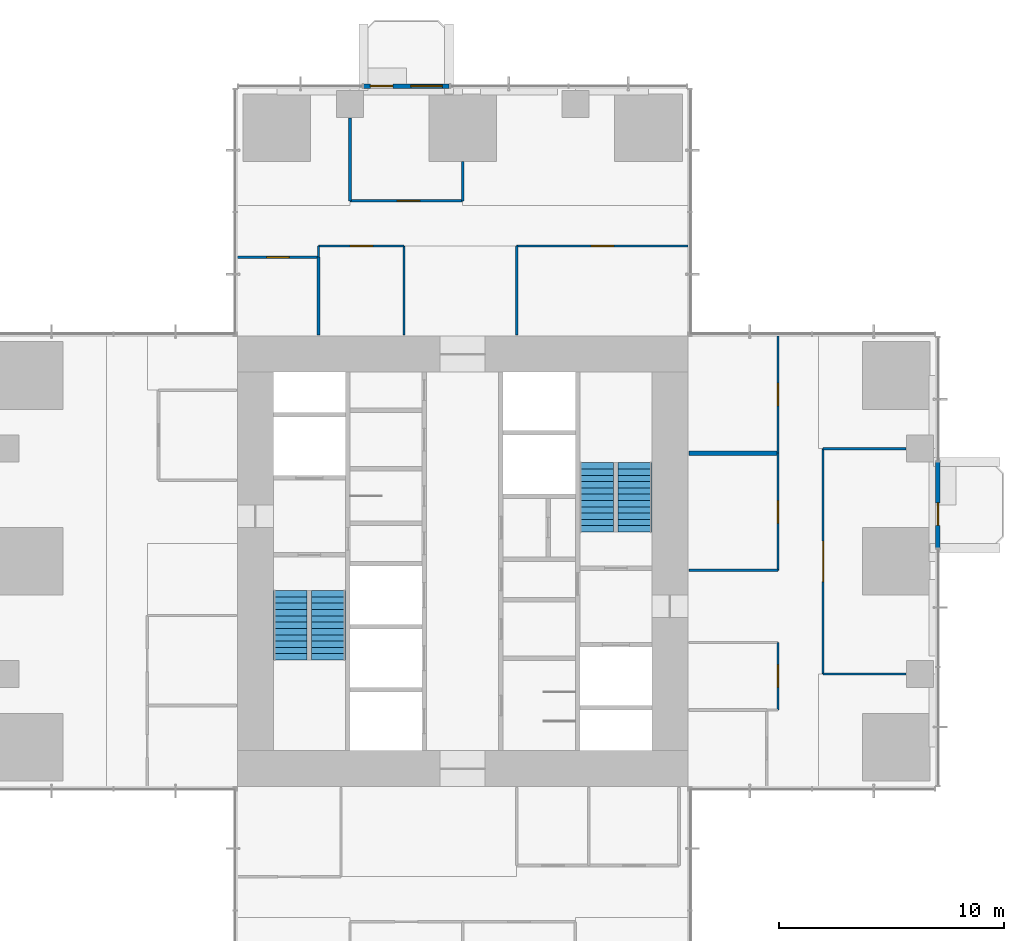
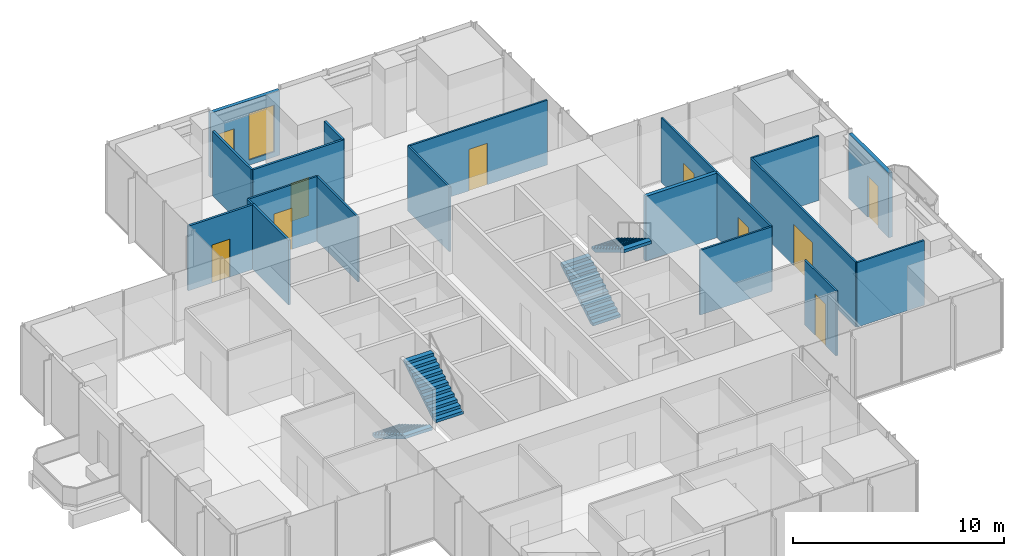
# One storey, part 10 of 13: 20 walls, 10 doors, 4 stair flights, 1 window, 11 openings, 2 elements without a shape of their own.
"""IFC4 building model written with IfcOpenShell, lengths in metres."""

from ifc_helpers import new_model, si_unit, direction, frame, frame_2d, origin, place, context, subcontext, project, spatial, polyline, rectangle, outline, extrude, material, layer, layer_set, type_object, element, fill, aggregate, save


model = new_model("IFC4")

# Units and contexts
model_context = context("Model", 3, precision=1e-05, world=origin(), true_north=direction((0.0, 1.0)))
body_context = subcontext(model_context, "Body", "Model", "MODEL_VIEW")
ifc_project = project(units=[si_unit("LENGTHUNIT", "METRE"), si_unit("AREAUNIT", "SQUARE_METRE"), si_unit("VOLUMEUNIT", "CUBIC_METRE"), si_unit("PLANEANGLEUNIT", "RADIAN"), si_unit("MASSUNIT", "GRAM", prefix="KILO")], contexts=[model_context])

# Site, building, storey
site_placement = place(None, origin())
site = spatial("IfcSite", under=ifc_project, at=site_placement, CompositionType="ELEMENT")
building_placement = place(site_placement, origin())
building = spatial("IfcBuilding", under=site, at=building_placement, Name="Svetlomir Tower", CompositionType="ELEMENT")
storey_placement = place(building_placement, frame((0.0, 0.0, 116.5)))
storey = spatial("IfcBuildingStorey", under=building, at=storey_placement, Name="L27", CompositionType="ELEMENT", Elevation=116.5)

# Wall
ifc_material_1 = material(Name="Gypsum board on twin steel studs", Category="steel")
ifc_layer_1 = layer(ifc_material_1, 0.199951171875)
ifc_layer_set_1 = layer_set([ifc_layer_1], Name="Gypsum board on twin steel studs")
wall_type_1 = type_object("IfcWallType", Name="ACOUSTIC PARTITION 200", PredefinedType="PARTITIONING", material=ifc_layer_set_1)
wall_1_placement = place(storey_placement, frame((31.050048828125, 25.800048828125, 0.0), z_axis=(0.0, 0.0, 1.0), x_axis=(1.0, 0.0, 0.0)))
element("IfcWall", 1, at=wall_1_placement, inside=storey, type_object=wall_type_1, Name="Acoustic partition L27", PredefinedType="PARTITIONING", context=body_context, shape_type="SweptSolid", body=[
    extrude(rectangle(XDim=3.949951171875, YDim=0.199951171875, at=frame_2d((1.97509765625, 0.0))), origin(), (0.0, 0.0, 1.0), 3.75),
])

# Wall, opening, door
ifc_material_2 = material(Name="Bronze anodised aluminium glazed screen", Category="aluminium")
ifc_layer_2 = layer(ifc_material_2, 0.199951171875)
ifc_layer_set_2 = layer_set([ifc_layer_2], Name="Bronze anodised aluminium glazed screen")
wall_type_2 = type_object("IfcWallType", Name="BALCONY SCREEN WALL 200", PredefinedType="USERDEFINED", material=ifc_layer_set_2)
wall_2_placement = place(storey_placement, frame((42.10009765625, 21.60009765625, 0.0), z_axis=(0.0, 0.0, 1.0), x_axis=(0.0, 1.0, 0.0)))
wall_2 = element("IfcWall", 2, at=wall_2_placement, inside=storey, type_object=wall_type_2, Name="Balcony screen E", ObjectType="GLAZED SCREEN", PredefinedType="USERDEFINED", context=body_context, shape_type="SweptSolid", body=[
    extrude(rectangle(XDim=3.7998046875, YDim=0.199951171875, at=frame_2d((1.89990234375, 0.0))), origin(), (0.0, 0.0, 1.0), 3.75),
])
opening_1_placement = place(wall_2_placement, frame((1.0, 0.0, 0.0)))
opening_1 = element("IfcOpeningElement", 3, at=opening_1_placement, cuts=wall_2, Name="Opening BD", PredefinedType="OPENING", context=body_context, shape_type="SweptSolid", body=[
    extrude(rectangle(XDim=1.0, YDim=2.39990234375, at=frame_2d((0.5, 1.199951171875))), frame((0.0, 0.10986328125, 0.0), z_axis=(0.0, -1.0, 0.0), x_axis=(1.0, 0.0, 0.0)), (0.0, 0.0, 1.0), 0.219970703125),
])
ifc_material_3 = material(Name="Bronze anodised aluminium glazed door", Category="aluminium")
door_type_1 = type_object("IfcDoorType", Name="BALCONY DOOR BD 1000x2400", OperationType="SINGLE_SWING_LEFT", PredefinedType="DOOR", material=ifc_material_3)
door_1_placement = place(opening_1_placement, origin())
door_1 = element("IfcDoor", 4, at=door_1_placement, inside=storey, type_object=door_type_1, Name="Balcony screen E door", OperationType="SINGLE_SWING_LEFT", OverallHeight=2.39990234375, OverallWidth=1.0, PredefinedType="DOOR", context=body_context, shape_type="SweptSolid", body=[
    extrude(rectangle(XDim=1.0, YDim=2.39990234375, at=frame_2d((0.5, 1.199951171875))), frame((0.0, 0.02490234375, 0.0), z_axis=(0.0, -1.0, 0.0), x_axis=(1.0, 0.0, 0.0)), (0.0, 0.0, 1.0), 0.050048828125),
])
fill(opening_1, door_1)

# Wall, openings, door, window
wall_3_placement = place(storey_placement, frame((20.39990234375, 42.10009765625, 0.0), z_axis=(0.0, 0.0, 1.0), x_axis=(-1.0, 0.0, 0.0)))
wall_3 = element("IfcWall", 5, at=wall_3_placement, inside=storey, type_object=wall_type_2, Name="Balcony screen N", ObjectType="GLAZED SCREEN", PredefinedType="USERDEFINED", context=body_context, shape_type="SweptSolid", body=[
    extrude(rectangle(XDim=3.7998046875, YDim=0.199951171875, at=frame_2d((1.89990234375, 0.0))), origin(), (0.0, 0.0, 1.0), 3.75),
])
opening_2_placement = place(wall_3_placement, frame((2.5, 0.0, 0.0)))
opening_2 = element("IfcOpeningElement", 6, at=opening_2_placement, cuts=wall_3, Name="Opening BD", PredefinedType="OPENING", context=body_context, shape_type="SweptSolid", body=[
    extrude(rectangle(XDim=1.0, YDim=2.39990234375, at=frame_2d((0.5, 1.199951171875))), frame((0.0, 0.10986328125, 0.0), z_axis=(0.0, -1.0, 0.0), x_axis=(1.0, 0.0, 0.0)), (0.0, 0.0, 1.0), 0.219970703125),
])
opening_3_placement = place(wall_3_placement, frame((0.300048828125, 0.0, 0.300048828125)))
opening_3 = element("IfcOpeningElement", 7, at=opening_3_placement, cuts=wall_3, Name="Opening WS2", PredefinedType="OPENING", context=body_context, shape_type="SweptSolid", body=[
    extrude(rectangle(XDim=1.39990234375, YDim=2.699951171875, at=frame_2d((0.699951171875, 1.35009765625))), frame((0.0, 0.10986328125, 0.0), z_axis=(0.0, -1.0, 0.0), x_axis=(1.0, 0.0, 0.0)), (0.0, 0.0, 1.0), 0.219970703125),
])
door_2_placement = place(opening_2_placement, origin())
door_2 = element("IfcDoor", 8, at=door_2_placement, inside=storey, type_object=door_type_1, Name="Balcony screen N door", OperationType="SINGLE_SWING_LEFT", OverallHeight=2.39990234375, OverallWidth=1.0, PredefinedType="DOOR", context=body_context, shape_type="SweptSolid", body=[
    extrude(rectangle(XDim=1.0, YDim=2.39990234375, at=frame_2d((0.5, 1.199951171875))), frame((0.0, 0.02490234375, 0.0), z_axis=(0.0, -1.0, 0.0), x_axis=(1.0, 0.0, 0.0)), (0.0, 0.0, 1.0), 0.050048828125),
])
fill(opening_2, door_2)
ifc_material_4 = material(Name="Bronze anodised aluminium window", Category="aluminium")
window_type = type_object("IfcWindowType", Name="SCREEN WINDOW WS2 1400x2700", PartitioningType="SINGLE_PANEL", PredefinedType="WINDOW", material=ifc_material_4)
window_placement = place(opening_3_placement, origin())
window = element("IfcWindow", 9, at=window_placement, inside=storey, type_object=window_type, Name="Balcony screen N window 1", OverallHeight=2.699951171875, OverallWidth=1.39990234375, PartitioningType="SINGLE_PANEL", PredefinedType="WINDOW", context=body_context, shape_type="SweptSolid", body=[
    extrude(rectangle(XDim=1.39990234375, YDim=2.699951171875, at=frame_2d((0.699951171875, 1.35009765625))), frame((0.0, 0.030029296875, 0.0), z_axis=(0.0, -1.0, 0.0), x_axis=(1.0, 0.0, 0.0)), (0.0, 0.0, 1.0), 0.06005859375),
])
fill(opening_3, window)

# Wall
ifc_material_5 = material(Name="Framed laminated glass partition", Category="glass")
ifc_layer_3 = layer(ifc_material_5, 0.10009765625)
ifc_layer_set_3 = layer_set([ifc_layer_3], Name="Framed laminated glass partition")
wall_type_3 = type_object("IfcWallType", Name="GLAZED PARTITION 100", PredefinedType="PARTITIONING", material=ifc_layer_set_3)
wall_4_placement = place(storey_placement, frame((14.60009765625, 34.5, 0.0), z_axis=(0.0, 0.0, 1.0), x_axis=(0.0, 1.0, 0.0)))
element("IfcWall", 10, at=wall_4_placement, inside=storey, type_object=wall_type_3, Name="Glazed partition L27", PredefinedType="PARTITIONING", context=body_context, shape_type="SweptSolid", body=[
    extrude(rectangle(XDim=0.5, YDim=0.10009765625, at=frame_2d((0.25, 0.0))), origin(), (0.0, 0.0, 1.0), 3.75),
])

# Wall, opening, door
wall_5_placement = place(storey_placement, frame((14.60009765625, 35.0, 0.0), z_axis=(0.0, 0.0, 1.0), x_axis=(1.0, 0.0, 0.0)))
wall_5 = element("IfcWall", 11, at=wall_5_placement, inside=storey, type_object=wall_type_3, Name="Glazed partition L27", PredefinedType="PARTITIONING", context=body_context, shape_type="SweptSolid", body=[
    extrude(rectangle(XDim=3.7998046875, YDim=0.10009765625, at=frame_2d((1.89990234375, 0.0))), origin(), (0.0, 0.0, 1.0), 3.75),
])
opening_4_placement = place(wall_5_placement, frame((1.39990234375, 0.0, 0.0)))
opening_4 = element("IfcOpeningElement", 12, at=opening_4_placement, cuts=wall_5, Name="Opening DG", PredefinedType="OPENING", context=body_context, shape_type="SweptSolid", body=[
    extrude(rectangle(XDim=1.0, YDim=2.39990234375, at=frame_2d((0.5, 1.199951171875))), frame((0.0, 0.06005859375, 0.0), z_axis=(0.0, -1.0, 0.0), x_axis=(1.0, 0.0, 0.0)), (0.0, 0.0, 1.0), 0.1201171875),
])
ifc_material_6 = material(Name="Framed laminated glass door", Category="glass")
door_type_2 = type_object("IfcDoorType", Name="GLAZED DOOR DG 1000x2400", OperationType="SINGLE_SWING_LEFT", PredefinedType="DOOR", material=ifc_material_6)
door_3_placement = place(opening_4_placement, origin())
door_3 = element("IfcDoor", 13, at=door_3_placement, inside=storey, type_object=door_type_2, Name="Focus room 2 door L27", OperationType="SINGLE_SWING_LEFT", OverallHeight=2.39990234375, OverallWidth=1.0, PredefinedType="DOOR", context=body_context, shape_type="SweptSolid", body=[
    extrude(rectangle(XDim=1.0, YDim=2.39990234375, at=frame_2d((0.5, 1.199951171875))), frame((0.0, 0.02490234375, 0.0), z_axis=(0.0, -1.0, 0.0), x_axis=(1.0, 0.0, 0.0)), (0.0, 0.0, 1.0), 0.050048828125),
])
fill(opening_4, door_3)

# Walls
for number, where, z_axis, x_axis, name in (
    (14, (18.39990234375, 31.050048828125, 0.0), (0.0, 0.0, 1.0), (0.0, 1.0, 0.0), "Glazed partition L27"),
    (15, (23.39990234375, 31.050048828125, 0.0), (0.0, 0.0, 1.0), (0.0, 1.0, 0.0), "Glazed partition L27"),
):
    element("IfcWall", number, at=place(storey_placement, frame(where, z_axis=z_axis, x_axis=x_axis)), inside=storey, type_object=wall_type_3, Name=name, PredefinedType="PARTITIONING", context=body_context, shape_type="SweptSolid", body=[
        extrude(rectangle(XDim=3.949951171875, YDim=0.10009765625, at=frame_2d((1.97509765625, 0.0))), origin(), (0.0, 0.0, 1.0), 3.75),
    ])

# Wall, opening, door
wall_6_placement = place(storey_placement, frame((23.39990234375, 35.0, 0.0), z_axis=(0.0, 0.0, 1.0), x_axis=(1.0, 0.0, 0.0)))
wall_6 = element("IfcWall", 16, at=wall_6_placement, inside=storey, type_object=wall_type_3, Name="Glazed partition L27", PredefinedType="PARTITIONING", context=body_context, shape_type="SweptSolid", body=[
    extrude(rectangle(XDim=7.60009765625, YDim=0.10009765625, at=frame_2d((3.800048828125, 0.0))), origin(), (0.0, 0.0, 1.0), 3.75),
])
opening_5_placement = place(wall_6_placement, frame((3.300048828125, 0.0, 0.0)))
opening_5 = element("IfcOpeningElement", 17, at=opening_5_placement, cuts=wall_6, Name="Opening DG", PredefinedType="OPENING", context=body_context, shape_type="SweptSolid", body=[
    extrude(rectangle(XDim=1.0, YDim=2.39990234375, at=frame_2d((0.5, 1.199951171875))), frame((0.0, 0.06005859375, 0.0), z_axis=(0.0, -1.0, 0.0), x_axis=(1.0, 0.0, 0.0)), (0.0, 0.0, 1.0), 0.1201171875),
])
door_4_placement = place(opening_5_placement, origin())
door_4 = element("IfcDoor", 18, at=door_4_placement, inside=storey, type_object=door_type_2, Name="Meeting room, 10 seats door L27", OperationType="SINGLE_SWING_RIGHT", OverallHeight=2.39990234375, OverallWidth=1.0, PredefinedType="DOOR", context=body_context, shape_type="SweptSolid", body=[
    extrude(rectangle(XDim=1.0, YDim=2.39990234375, at=frame_2d((0.5, 1.199951171875))), frame((0.0, 0.02490234375, 0.0), z_axis=(0.0, -1.0, 0.0), x_axis=(1.0, 0.0, 0.0)), (0.0, 0.0, 1.0), 0.050048828125),
])
fill(opening_5, door_4)

# Wall
wall_7_placement = place(storey_placement, frame((31.050048828125, 20.60009765625, 0.0), z_axis=(0.0, 0.0, 1.0), x_axis=(1.0, 0.0, 0.0)))
element("IfcWall", 19, at=wall_7_placement, inside=storey, type_object=wall_type_3, Name="Glazed partition L27", PredefinedType="PARTITIONING", context=body_context, shape_type="SweptSolid", body=[
    extrude(rectangle(XDim=3.949951171875, YDim=0.10009765625, at=frame_2d((1.97509765625, 0.0))), origin(), (0.0, 0.0, 1.0), 3.75),
])

# Wall, opening, door
wall_8_placement = place(storey_placement, frame((35.0, 14.39990234375, 0.0), z_axis=(0.0, 0.0, 1.0), x_axis=(0.0, 1.0, 0.0)))
wall_8 = element("IfcWall", 20, at=wall_8_placement, inside=storey, type_object=wall_type_3, Name="Glazed partition L27", PredefinedType="PARTITIONING", context=body_context, shape_type="SweptSolid", body=[
    extrude(rectangle(XDim=3.0, YDim=0.10009765625, at=frame_2d((1.5, 0.0))), origin(), (0.0, 0.0, 1.0), 3.75),
])
opening_6_placement = place(wall_8_placement, frame((1.0, 0.0, 0.0)))
opening_6 = element("IfcOpeningElement", 21, at=opening_6_placement, cuts=wall_8, Name="Opening DG", PredefinedType="OPENING", context=body_context, shape_type="SweptSolid", body=[
    extrude(rectangle(XDim=1.0, YDim=2.39990234375, at=frame_2d((0.5, 1.199951171875))), frame((0.0, 0.06005859375, 0.0), z_axis=(0.0, -1.0, 0.0), x_axis=(1.0, 0.0, 0.0)), (0.0, 0.0, 1.0), 0.1201171875),
])
door_5_placement = place(opening_6_placement, origin())
door_5 = element("IfcDoor", 22, at=door_5_placement, inside=storey, type_object=door_type_2, Name="Focus room 1 door L27", OperationType="SINGLE_SWING_RIGHT", OverallHeight=2.39990234375, OverallWidth=1.0, PredefinedType="DOOR", context=body_context, shape_type="SweptSolid", body=[
    extrude(rectangle(XDim=1.0, YDim=2.39990234375, at=frame_2d((0.5, 1.199951171875))), frame((0.0, 0.02490234375, 0.0), z_axis=(0.0, -1.0, 0.0), x_axis=(1.0, 0.0, 0.0)), (0.0, 0.0, 1.0), 0.050048828125),
])
fill(opening_6, door_5)

wall_9_placement = place(storey_placement, frame((35.0, 20.60009765625, 0.0), z_axis=(0.0, 0.0, 1.0), x_axis=(0.0, 1.0, 0.0)))
wall_9 = element("IfcWall", 23, at=wall_9_placement, inside=storey, type_object=wall_type_3, Name="Glazed partition L27", PredefinedType="PARTITIONING", context=body_context, shape_type="SweptSolid", body=[
    extrude(rectangle(XDim=5.199951171875, YDim=0.10009765625, at=frame_2d((2.60009765625, 0.0))), origin(), (0.0, 0.0, 1.0), 3.75),
])
opening_7_placement = place(wall_9_placement, frame((2.10009765625, 0.0, 0.0)))
opening_7 = element("IfcOpeningElement", 24, at=opening_7_placement, cuts=wall_9, Name="Opening DG", PredefinedType="OPENING", context=body_context, shape_type="SweptSolid", body=[
    extrude(rectangle(XDim=1.0, YDim=2.39990234375, at=frame_2d((0.5, 1.199951171875))), frame((0.0, 0.06005859375, 0.0), z_axis=(0.0, -1.0, 0.0), x_axis=(1.0, 0.0, 0.0)), (0.0, 0.0, 1.0), 0.1201171875),
])
door_6_placement = place(opening_7_placement, origin())
door_6 = element("IfcDoor", 25, at=door_6_placement, inside=storey, type_object=door_type_2, Name="Deal room, 8 seats door L27", OperationType="SINGLE_SWING_LEFT", OverallHeight=2.39990234375, OverallWidth=1.0, PredefinedType="DOOR", context=body_context, shape_type="SweptSolid", body=[
    extrude(rectangle(XDim=1.0, YDim=2.39990234375, at=frame_2d((0.5, 1.199951171875))), frame((0.0, 0.02490234375, 0.0), z_axis=(0.0, -1.0, 0.0), x_axis=(1.0, 0.0, 0.0)), (0.0, 0.0, 1.0), 0.050048828125),
])
fill(opening_7, door_6)

wall_10_placement = place(storey_placement, frame((35.0, 25.800048828125, 0.0), z_axis=(0.0, 0.0, 1.0), x_axis=(0.0, 1.0, 0.0)))
wall_10 = element("IfcWall", 26, at=wall_10_placement, inside=storey, type_object=wall_type_3, Name="Glazed partition L27", PredefinedType="PARTITIONING", context=body_context, shape_type="SweptSolid", body=[
    extrude(rectangle(XDim=5.199951171875, YDim=0.10009765625, at=frame_2d((2.60009765625, 0.0))), origin(), (0.0, 0.0, 1.0), 3.75),
])
opening_8_placement = place(wall_10_placement, frame((2.10009765625, 0.0, 0.0)))
opening_8 = element("IfcOpeningElement", 27, at=opening_8_placement, cuts=wall_10, Name="Opening DG", PredefinedType="OPENING", context=body_context, shape_type="SweptSolid", body=[
    extrude(rectangle(XDim=1.0, YDim=2.39990234375, at=frame_2d((0.5, 1.199951171875))), frame((0.0, 0.06005859375, 0.0), z_axis=(0.0, -1.0, 0.0), x_axis=(1.0, 0.0, 0.0)), (0.0, 0.0, 1.0), 0.1201171875),
])
door_7_placement = place(opening_8_placement, origin())
door_7 = element("IfcDoor", 28, at=door_7_placement, inside=storey, type_object=door_type_2, Name="Deal room, 6 seats door L27", OperationType="SINGLE_SWING_LEFT", OverallHeight=2.39990234375, OverallWidth=1.0, PredefinedType="DOOR", context=body_context, shape_type="SweptSolid", body=[
    extrude(rectangle(XDim=1.0, YDim=2.39990234375, at=frame_2d((0.5, 1.199951171875))), frame((0.0, 0.02490234375, 0.0), z_axis=(0.0, -1.0, 0.0), x_axis=(1.0, 0.0, 0.0)), (0.0, 0.0, 1.0), 0.050048828125),
])
fill(opening_8, door_7)

wall_11_placement = place(storey_placement, frame((37.0, 16.0, 0.0), z_axis=(0.0, 0.0, 1.0), x_axis=(0.0, 1.0, 0.0)))
wall_11 = element("IfcWall", 29, at=wall_11_placement, inside=storey, type_object=wall_type_3, Name="Glazed partition L27", PredefinedType="PARTITIONING", context=body_context, shape_type="SweptSolid", body=[
    extrude(rectangle(XDim=10.0, YDim=0.10009765625, at=frame_2d((5.0, 0.0))), origin(), (0.0, 0.0, 1.0), 3.75),
])
opening_9_placement = place(wall_11_placement, frame((4.10009765625, 0.0, 0.0)))
opening_9 = element("IfcOpeningElement", 30, at=opening_9_placement, cuts=wall_11, Name="Opening DD", PredefinedType="OPENING", context=body_context, shape_type="SweptSolid", body=[
    extrude(rectangle(XDim=1.800048828125, YDim=2.39990234375, at=frame_2d((0.89990234375, 1.199951171875))), frame((0.0, 0.06005859375, 0.0), z_axis=(0.0, -1.0, 0.0), x_axis=(1.0, 0.0, 0.0)), (0.0, 0.0, 1.0), 0.1201171875),
])
ifc_material_7 = material(Name="Timber door", Category="wood")
door_type_3 = type_object("IfcDoorType", Name="DOOR DD 1800x2400", OperationType="DOUBLE_DOOR_SINGLE_SWING", PredefinedType="DOOR", material=ifc_material_7)
door_8_placement = place(opening_9_placement, origin())
door_8 = element("IfcDoor", 31, at=door_8_placement, inside=storey, type_object=door_type_3, Name="Deal war room, 16 seats door L27", OperationType="DOUBLE_DOOR_SINGLE_SWING", OverallHeight=2.39990234375, OverallWidth=1.800048828125, PredefinedType="DOOR", context=body_context, shape_type="SweptSolid", body=[
    extrude(rectangle(XDim=1.800048828125, YDim=2.39990234375, at=frame_2d((0.89990234375, 1.199951171875))), frame((0.0, 0.02490234375, 0.0), z_axis=(0.0, -1.0, 0.0), x_axis=(1.0, 0.0, 0.0)), (0.0, 0.0, 1.0), 0.050048828125),
])
fill(opening_9, door_8)

# Walls
for number, where, z_axis, x_axis, name in (
    (32, (37.0, 16.0, 0.0), (0.0, 0.0, 1.0), (1.0, 0.0, 0.0), "Glazed partition L27"),
    (33, (37.0, 26.0, 0.0), (0.0, 0.0, 1.0), (1.0, 0.0, 0.0), "Glazed partition L27"),
):
    element("IfcWall", number, at=place(storey_placement, frame(where, z_axis=z_axis, x_axis=x_axis)), inside=storey, type_object=wall_type_3, Name=name, PredefinedType="PARTITIONING", context=body_context, shape_type="SweptSolid", body=[
        extrude(rectangle(XDim=3.68994140625, YDim=0.10009765625, at=frame_2d((1.844970703125, 0.0))), origin(), (0.0, 0.0, 1.0), 3.75),
    ])

# Wall, opening, door
ifc_material_8 = material(Name="Gypsum board on steel studs", Category="steel")
ifc_layer_4 = layer(ifc_material_8, 0.1201171875)
ifc_layer_set_4 = layer_set([ifc_layer_4], Name="Gypsum board on steel studs")
wall_type_4 = type_object("IfcWallType", Name="PARTITION 120", PredefinedType="PARTITIONING", material=ifc_layer_set_4)
wall_12_placement = place(storey_placement, frame((11.0, 34.5, 0.0), z_axis=(0.0, 0.0, 1.0), x_axis=(1.0, 0.0, 0.0)))
wall_12 = element("IfcWall", 34, at=wall_12_placement, inside=storey, type_object=wall_type_4, Name="Partition L27", PredefinedType="PARTITIONING", context=body_context, shape_type="SweptSolid", body=[
    extrude(rectangle(XDim=3.60009765625, YDim=0.1201171875, at=frame_2d((1.800048828125, 0.0))), origin(), (0.0, 0.0, 1.0), 3.75),
])
opening_10_placement = place(wall_12_placement, frame((1.300048828125, 0.0, 0.0)))
opening_10 = element("IfcOpeningElement", 35, at=opening_10_placement, cuts=wall_12, Name="Opening DR", PredefinedType="OPENING", context=body_context, shape_type="SweptSolid", body=[
    extrude(rectangle(XDim=1.0, YDim=2.199951171875, at=frame_2d((0.5, 1.10009765625))), frame((0.0, 0.070068359375, 0.0), z_axis=(0.0, -1.0, 0.0), x_axis=(1.0, 0.0, 0.0)), (0.0, 0.0, 1.0), 0.14013671875),
])
ifc_material_9 = material(Name="Timber door, glazed side light", Category="wood")
door_type_4 = type_object("IfcDoorType", Name="DOOR DR 1000x2200", OperationType="SINGLE_SWING_LEFT", PredefinedType="DOOR", material=ifc_material_9)
door_9_placement = place(opening_10_placement, origin())
door_9 = element("IfcDoor", 36, at=door_9_placement, inside=storey, type_object=door_type_4, Name="Records store door L27", OperationType="SINGLE_SWING_RIGHT", OverallHeight=2.199951171875, OverallWidth=1.0, PredefinedType="DOOR", context=body_context, shape_type="SweptSolid", body=[
    extrude(rectangle(XDim=1.0, YDim=2.199951171875, at=frame_2d((0.5, 1.10009765625))), frame((0.0, 0.02490234375, 0.0), z_axis=(0.0, -1.0, 0.0), x_axis=(1.0, 0.0, 0.0)), (0.0, 0.0, 1.0), 0.050048828125),
])
fill(opening_10, door_9)

# Walls
wall_13_placement = place(storey_placement, frame((14.60009765625, 31.050048828125, 0.0), z_axis=(0.0, 0.0, 1.0), x_axis=(0.0, 1.0, 0.0)))
element("IfcWall", 37, at=wall_13_placement, inside=storey, type_object=wall_type_4, Name="Partition L27", PredefinedType="PARTITIONING", context=body_context, shape_type="SweptSolid", body=[
    extrude(rectangle(XDim=3.449951171875, YDim=0.1201171875, at=frame_2d((1.72509765625, 0.0))), origin(), (0.0, 0.0, 1.0), 3.75),
])
wall_14_placement = place(storey_placement, frame((16.0, 37.0, 0.0), z_axis=(0.0, 0.0, 1.0), x_axis=(0.0, 1.0, 0.0)))
element("IfcWall", 38, at=wall_14_placement, inside=storey, type_object=wall_type_4, Name="Partition L27", PredefinedType="PARTITIONING", context=body_context, shape_type="SweptSolid", body=[
    extrude(rectangle(XDim=3.68994140625, YDim=0.1201171875, at=frame_2d((1.844970703125, 0.0))), origin(), (0.0, 0.0, 1.0), 3.75),
])

# Wall, opening, door
wall_15_placement = place(storey_placement, frame((16.0, 37.0, 0.0), z_axis=(0.0, 0.0, 1.0), x_axis=(1.0, 0.0, 0.0)))
wall_15 = element("IfcWall", 39, at=wall_15_placement, inside=storey, type_object=wall_type_4, Name="Partition L27", PredefinedType="PARTITIONING", context=body_context, shape_type="SweptSolid", body=[
    extrude(rectangle(XDim=5.0, YDim=0.1201171875, at=frame_2d((2.5, 0.0))), origin(), (0.0, 0.0, 1.0), 3.75),
])
opening_11_placement = place(wall_15_placement, frame((2.10009765625, 0.0, 0.0)))
opening_11 = element("IfcOpeningElement", 40, at=opening_11_placement, cuts=wall_15, Name="Opening DR", PredefinedType="OPENING", context=body_context, shape_type="SweptSolid", body=[
    extrude(rectangle(XDim=1.0, YDim=2.199951171875, at=frame_2d((0.5, 1.10009765625))), frame((0.0, 0.070068359375, 0.0), z_axis=(0.0, -1.0, 0.0), x_axis=(1.0, 0.0, 0.0)), (0.0, 0.0, 1.0), 0.14013671875),
])
door_10_placement = place(opening_11_placement, origin())
door_10 = element("IfcDoor", 41, at=door_10_placement, inside=storey, type_object=door_type_4, Name="Chief strategy officer office door L27", OperationType="SINGLE_SWING_RIGHT", OverallHeight=2.199951171875, OverallWidth=1.0, PredefinedType="DOOR", context=body_context, shape_type="SweptSolid", body=[
    extrude(rectangle(XDim=1.0, YDim=2.199951171875, at=frame_2d((0.5, 1.10009765625))), frame((0.0, 0.02490234375, 0.0), z_axis=(0.0, -1.0, 0.0), x_axis=(1.0, 0.0, 0.0)), (0.0, 0.0, 1.0), 0.050048828125),
])
fill(opening_11, door_10)

# Wall
wall_16_placement = place(storey_placement, frame((21.0, 37.0, 0.0), z_axis=(0.0, 0.0, 1.0), x_axis=(0.0, 1.0, 0.0)))
element("IfcWall", 42, at=wall_16_placement, inside=storey, type_object=wall_type_4, Name="Partition L27", PredefinedType="PARTITIONING", context=body_context, shape_type="SweptSolid", body=[
    extrude(rectangle(XDim=1.739990234375, YDim=0.1201171875, at=frame_2d((0.8701171875, 0.0))), origin(), (0.0, 0.0, 1.0), 3.75),
])

# Stair, stair flights
ifc_material_10 = material(Name="Concrete C60/75", Category="concrete")
stair_type = type_object("IfcStairType", Name="EXIT STAIR 3200 RISE 4000", PredefinedType="HALF_TURN_STAIR", material=ifc_material_10)
stair_1_placement = place(storey_placement, origin())
stair_1 = element("IfcStair", 43, at=stair_1_placement, inside=storey, type_object=stair_type, Name="Stair S1 L27 to L28", PredefinedType="HALF_TURN_STAIR")
ifc_material_11 = material(Name="Concrete C60/75", Category="concrete")
stair_flight_type = type_object("IfcStairFlightType", Name="STAIR FLIGHT 1500 OF 12 RISERS", PredefinedType="STRAIGHT", material=ifc_material_11)
stair_flight_1_placement = place(storey_placement, frame((13.35009765625, 19.699951171875, 0.0), z_axis=(0.0, 0.0, 1.0), x_axis=(0.0, -1.0, 0.0)))
stair_flight_1 = element("IfcStairFlight", 44, at=stair_flight_1_placement, type_object=stair_flight_type, Name="S1 flight 1", NumberOfRisers=12, NumberOfTreads=11, PredefinedType="STRAIGHT", RiserHeight=0.166666667, TreadLength=0.28, context=body_context, shape_type="SweptSolid", body=[
    extrude(outline(polyline([(0.0, 0.0), (0.0, 0.166748046875), (0.280029296875, 0.166748046875), (0.280029296875, 0.333251953125), (0.56005859375, 0.333251953125), (0.56005859375, 0.5), (0.840087890625, 0.5), (0.840087890625, 0.666748046875), (1.1201171875, 0.666748046875), (1.1201171875, 0.833251953125), (1.39990234375, 0.833251953125), (1.39990234375, 1.0), (1.679931640625, 1.0), (1.679931640625, 1.166748046875), (1.9599609375, 1.166748046875), (1.9599609375, 1.333251953125), (2.239990234375, 1.333251953125), (2.239990234375, 1.5), (2.52001953125, 1.5), (2.52001953125, 1.666748046875), (2.800048828125, 1.666748046875), (2.800048828125, 1.833251953125), (3.080078125, 1.833251953125), (3.080078125, 2.0), (3.080078125, 1.658935546875), (0.29296875, 0.0), (0.0, 0.0)])), frame((0.0, 0.75, 0.0), z_axis=(0.0, -1.0, 0.0), x_axis=(1.0, 0.0, 0.0)), (0.0, 0.0, 1.0), 1.5),
])
stair_flight_2_placement = place(storey_placement, frame((15.050048828125, 16.6201171875, 2.0), z_axis=(0.0, 0.0, 1.0), x_axis=(0.0, 1.0, 0.0)))
stair_flight_2 = element("IfcStairFlight", 45, at=stair_flight_2_placement, type_object=stair_flight_type, Name="S1 flight 2", NumberOfRisers=12, NumberOfTreads=11, PredefinedType="STRAIGHT", RiserHeight=0.166666667, TreadLength=0.28, context=body_context, shape_type="SweptSolid", body=[
    extrude(outline(polyline([(0.0, 0.0), (0.0, 0.166748046875), (0.280029296875, 0.166748046875), (0.280029296875, 0.333251953125), (0.56005859375, 0.333251953125), (0.56005859375, 0.5), (0.840087890625, 0.5), (0.840087890625, 0.666748046875), (1.1201171875, 0.666748046875), (1.1201171875, 0.833251953125), (1.39990234375, 0.833251953125), (1.39990234375, 1.0), (1.679931640625, 1.0), (1.679931640625, 1.166748046875), (1.9599609375, 1.166748046875), (1.9599609375, 1.333251953125), (2.239990234375, 1.333251953125), (2.239990234375, 1.5), (2.52001953125, 1.5), (2.52001953125, 1.666748046875), (2.800048828125, 1.666748046875), (2.800048828125, 1.833251953125), (3.080078125, 1.833251953125), (3.080078125, 2.0), (3.080078125, 1.658935546875), (0.29296875, 0.0), (0.0, 0.0)])), frame((0.0, 0.75, 0.0), z_axis=(0.0, -1.0, 0.0), x_axis=(1.0, 0.0, 0.0)), (0.0, 0.0, 1.0), 1.5),
])
aggregate(stair_1, [stair_flight_1, stair_flight_2])

stair_2_placement = place(storey_placement, origin())
stair_2 = element("IfcStair", 46, at=stair_2_placement, inside=storey, type_object=stair_type, Name="Stair S2 L27 to L28", PredefinedType="HALF_TURN_STAIR")
stair_flight_3_placement = place(storey_placement, frame((26.949951171875, 22.300048828125, 0.0), z_axis=(0.0, 0.0, 1.0), x_axis=(0.0, 1.0, 0.0)))
stair_flight_3 = element("IfcStairFlight", 47, at=stair_flight_3_placement, type_object=stair_flight_type, Name="S2 flight 1", NumberOfRisers=12, NumberOfTreads=11, PredefinedType="STRAIGHT", RiserHeight=0.166666667, TreadLength=0.28, context=body_context, shape_type="SweptSolid", body=[
    extrude(outline(polyline([(0.0, 0.0), (0.0, 0.166748046875), (0.280029296875, 0.166748046875), (0.280029296875, 0.333251953125), (0.56005859375, 0.333251953125), (0.56005859375, 0.5), (0.840087890625, 0.5), (0.840087890625, 0.666748046875), (1.1201171875, 0.666748046875), (1.1201171875, 0.833251953125), (1.39990234375, 0.833251953125), (1.39990234375, 1.0), (1.679931640625, 1.0), (1.679931640625, 1.166748046875), (1.9599609375, 1.166748046875), (1.9599609375, 1.333251953125), (2.239990234375, 1.333251953125), (2.239990234375, 1.5), (2.52001953125, 1.5), (2.52001953125, 1.666748046875), (2.800048828125, 1.666748046875), (2.800048828125, 1.833251953125), (3.080078125, 1.833251953125), (3.080078125, 2.0), (3.080078125, 1.658935546875), (0.29296875, 0.0), (0.0, 0.0)])), frame((0.0, 0.75, 0.0), z_axis=(0.0, -1.0, 0.0), x_axis=(1.0, 0.0, 0.0)), (0.0, 0.0, 1.0), 1.5),
])
stair_flight_4_placement = place(storey_placement, frame((28.64990234375, 25.3798828125, 2.0), z_axis=(0.0, 0.0, 1.0), x_axis=(0.0, -1.0, 0.0)))
stair_flight_4 = element("IfcStairFlight", 48, at=stair_flight_4_placement, type_object=stair_flight_type, Name="S2 flight 2", NumberOfRisers=12, NumberOfTreads=11, PredefinedType="STRAIGHT", RiserHeight=0.166666667, TreadLength=0.28, context=body_context, shape_type="SweptSolid", body=[
    extrude(outline(polyline([(0.0, 0.0), (0.0, 0.166748046875), (0.280029296875, 0.166748046875), (0.280029296875, 0.333251953125), (0.56005859375, 0.333251953125), (0.56005859375, 0.5), (0.840087890625, 0.5), (0.840087890625, 0.666748046875), (1.1201171875, 0.666748046875), (1.1201171875, 0.833251953125), (1.39990234375, 0.833251953125), (1.39990234375, 1.0), (1.679931640625, 1.0), (1.679931640625, 1.166748046875), (1.9599609375, 1.166748046875), (1.9599609375, 1.333251953125), (2.239990234375, 1.333251953125), (2.239990234375, 1.5), (2.52001953125, 1.5), (2.52001953125, 1.666748046875), (2.800048828125, 1.666748046875), (2.800048828125, 1.833251953125), (3.080078125, 1.833251953125), (3.080078125, 2.0), (3.080078125, 1.658935546875), (0.29296875, 0.0), (0.0, 0.0)])), frame((0.0, 0.75, 0.0), z_axis=(0.0, -1.0, 0.0), x_axis=(1.0, 0.0, 0.0)), (0.0, 0.0, 1.0), 1.5),
])
aggregate(stair_2, [stair_flight_3, stair_flight_4])

save(model, "model.ifc")
